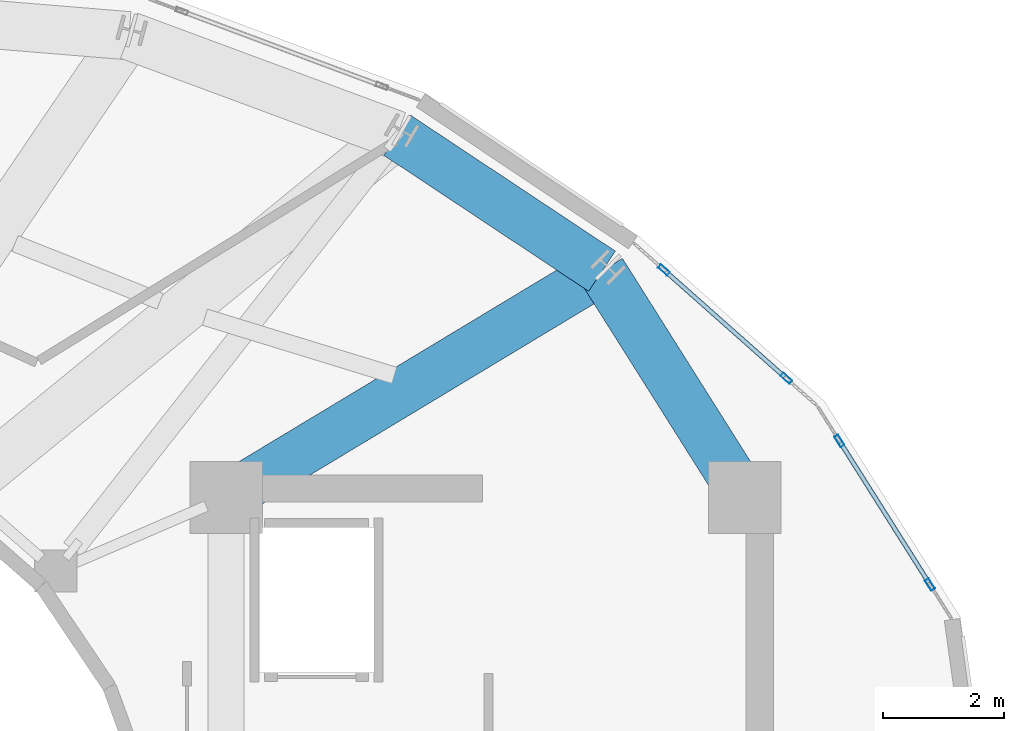
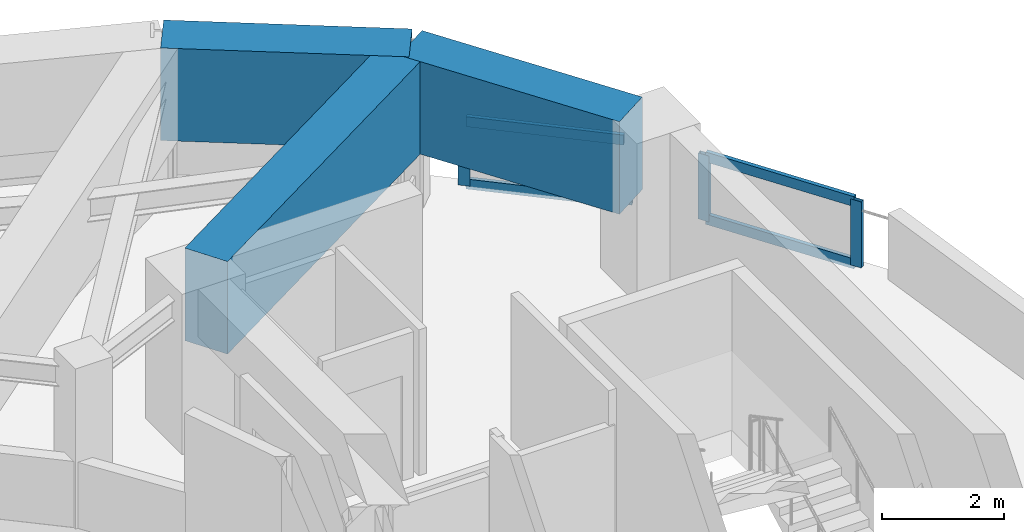
# One storey, part 13 of 21: 8 members, 3 beams, 2 elements without a shape of their own.
"""IFC4 building model written with IfcOpenShell, lengths in metres."""

import ifcopenshell
import ifcopenshell.guid

model = None  # the IFC model being written
_history = None  # IfcOwnerHistory: only IFC2X3 demands one
_inside = {}  # id of a spatial element -> (the spatial element, [elements in it])
_under = {}  # id of a project, library or spatial element -> (it, [spatial elements below it])
_declared = {}  # id of a project -> (the project, [libraries it declares])
_typed = {}  # id of a type object -> (the type object, [elements of that type])
_made_of = {}  # id of a material, layer set ... -> (it, [elements and type objects made of it])


def new_model(schema):
    """Start an empty IFC model of exactly this schema.

    Asked for "IFC4X3", IfcOpenShell would pick the latest addendum, in which some entities
    have other attributes; the version numbers below select the first issue.
    IFC2X3 requires an IfcOwnerHistory on every rooted entity: one is made here for all.
    """
    global model, _history
    if schema == "IFC4X3":
        model = ifcopenshell.file(schema_version=(4, 3, 0, 0))
    else:
        model = ifcopenshell.file(schema=schema)
    _inside.clear()
    _under.clear()
    _declared.clear()
    _typed.clear()
    _made_of.clear()
    _history = None
    if model.schema == "IFC2X3":
        org = make("IfcOrganization", Name="unknown")
        user = make(
            "IfcPersonAndOrganization",
            ThePerson=make("IfcPerson", FamilyName="unknown"),
            TheOrganization=org,
        )
        app = make(
            "IfcApplication",
            ApplicationDeveloper=org,
            Version="unknown",
            ApplicationFullName="unknown",
            ApplicationIdentifier="unknown",
        )
        _history = make(
            "IfcOwnerHistory",
            OwningUser=user,
            OwningApplication=app,
            ChangeAction="ADDED",
            CreationDate=0,
        )
    return model


def make(cls, **values):
    """One entity of the class cls with the attributes given. An attribute that is None is left unset."""
    return model.create_entity(
        cls, **{name: value for name, value in values.items() if value is not None}
    )


def rooted(cls, **values):
    """An entity with a GlobalId (a new one), such as an element, a storey or a relation."""
    return make(cls, GlobalId=ifcopenshell.guid.new(), OwnerHistory=_history, **values)


def si_unit(unit_type, name, prefix=None):
    """IfcSIUnit, for example si_unit("LENGTHUNIT", "METRE", prefix="MILLI")."""
    return make("IfcSIUnit", UnitType=unit_type, Prefix=prefix, Name=name)


def assignment(units):
    """IfcUnitAssignment: the units of a project."""
    return None if units is None else make("IfcUnitAssignment", Units=units)


def point(xyz):
    """IfcCartesianPoint."""
    return None if xyz is None else make("IfcCartesianPoint", Coordinates=xyz)


def direction(xyz):
    """IfcDirection."""
    return None if xyz is None else make("IfcDirection", DirectionRatios=xyz)


def frame(location, z_axis=None, x_axis=None):
    """IfcAxis2Placement3D, a coordinate frame: its origin and axes. An axis left out is left unset."""
    return make(
        "IfcAxis2Placement3D",
        Location=point(location),
        Axis=direction(z_axis),
        RefDirection=direction(x_axis),
    )


def frame_2d(location, x_axis=None):
    """IfcAxis2Placement2D, a coordinate frame in the plane: its origin and x axis."""
    return make(
        "IfcAxis2Placement2D", Location=point(location), RefDirection=direction(x_axis)
    )


def origin():
    """The frame at (0, 0, 0) with its axes left unset."""
    return frame((0.0, 0.0, 0.0))


def origin_2d():
    """The frame at (0, 0) in the plane with its x axis left unset."""
    return frame_2d((0.0, 0.0))


def place(relative_to, where):
    """IfcLocalPlacement: puts the frame where relative to a parent placement (None: the world)."""
    return make(
        "IfcLocalPlacement", PlacementRelTo=relative_to, RelativePlacement=where
    )


def context(
    kind, dimensions, precision=None, world=None, true_north=None, identifier=None
):
    """IfcGeometricRepresentationContext, for example the 3D "Model" context."""
    return make(
        "IfcGeometricRepresentationContext",
        ContextIdentifier=identifier,
        ContextType=kind,
        CoordinateSpaceDimension=dimensions,
        Precision=precision,
        WorldCoordinateSystem=world,
        TrueNorth=true_north,
    )


def subcontext(parent, identifier, kind, view, scale=None):
    """IfcGeometricRepresentationSubContext, for example "Body" below "Model"."""
    return make(
        "IfcGeometricRepresentationSubContext",
        ContextIdentifier=identifier,
        ContextType=kind,
        ParentContext=parent,
        TargetScale=scale,
        TargetView=view,
    )


def project(units=None, contexts=None):
    """IfcProject with its units and contexts."""
    return rooted(
        "IfcProject",
        Name="project",
        RepresentationContexts=contexts,
        UnitsInContext=assignment(units),
    )


def spatial(cls, under=None, at=None, **own):
    """A site, building, storey or space (cls), placed at a placement, below another one or the project."""
    s = rooted(cls, ObjectPlacement=at, **own)
    if under is not None:
        _under.setdefault(under.id(), (under, []))[1].append(s)
    return s


def profile(cls, at=None, kind="AREA", **sizes):
    """A parametric profile (cls). Its sizes go by their IFC names, for example OverallWidth=200.0."""
    return make(cls, ProfileType=kind, Position=at, **sizes)


def rectangle(**sizes):
    """IfcRectangleProfileDef."""
    return profile("IfcRectangleProfileDef", **sizes)


def hollow_rectangle(**sizes):
    """IfcRectangleHollowProfileDef."""
    return profile("IfcRectangleHollowProfileDef", **sizes)


def extrude(swept, where, along, depth):
    """IfcExtrudedAreaSolid: the profile swept, set in the frame where, extruded along a direction by depth."""
    return make(
        "IfcExtrudedAreaSolid",
        SweptArea=swept,
        Position=where,
        ExtrudedDirection=direction(along),
        Depth=depth,
    )


def shape(context_of_items, identifier, shape_type, items):
    """IfcShapeRepresentation: the items that make up one representation, for example the "Body"."""
    return make(
        "IfcShapeRepresentation",
        ContextOfItems=context_of_items,
        RepresentationIdentifier=identifier,
        RepresentationType=shape_type,
        Items=items,
    )


def material(Name=None, Category=None):
    """IfcMaterial."""
    return make("IfcMaterial", Name=Name, Category=Category)


def layer(
    of_material, thickness, ventilated=None, Name=None, Category=None, Priority=None
):
    """IfcMaterialLayer: one layer of a wall or slab, of a material (None: an air gap)."""
    return make(
        "IfcMaterialLayer",
        Material=of_material,
        LayerThickness=thickness,
        IsVentilated=ventilated,
        Name=Name,
        Category=Category,
        Priority=Priority,
    )


def layer_set(layers, Name=None):
    """IfcMaterialLayerSet."""
    return make("IfcMaterialLayerSet", MaterialLayers=layers, LayerSetName=Name)


def material_profile(
    of_material, cross_section, Name=None, Category=None, Priority=None
):
    """IfcMaterialProfile: a cross section and its material."""
    return make(
        "IfcMaterialProfile",
        Name=Name,
        Material=of_material,
        Profile=cross_section,
        Priority=Priority,
        Category=Category,
    )


def profile_set(profiles, Name=None, composite=None):
    """IfcMaterialProfileSet."""
    return make(
        "IfcMaterialProfileSet",
        Name=Name,
        MaterialProfiles=profiles,
        CompositeProfile=composite,
    )


def made_of(thing, what):
    """Note that an element or type object is made of a material, layer set ...; save() writes the relation."""
    if what is not None:
        _made_of.setdefault(what.id(), (what, []))[1].append(thing)
    return thing


def type_object(cls, material=None, **own):
    """A type object (cls), such as IfcWallType, which elements share."""
    return made_of(rooted(cls, **own), material)


def element(
    cls,
    number,
    at=None,
    inside=None,
    cuts=None,
    type_object=None,
    material=None,
    context=None,
    identifier="Body",
    shape_type=None,
    held_by="IfcProductDefinitionShape",
    body=None,
    shapes=None,
    **own,
):
    """One element of the class cls, such as IfcWall. Its Tag is "e" and its number.

    at: its placement. inside: the storey or other place that contains it. cuts: it is an
    opening in that element (IfcRelVoidsElement). A single representation is given by context,
    identifier, shape_type and body (its items); several are given by shapes. held_by: the class
    of the entity that holds the representations. save() writes the other relations.
    """
    e = rooted(cls, Tag="e%d" % number, ObjectPlacement=at, **own)
    if body is not None:
        shapes = [shape(context, identifier, shape_type, body)]
    if shapes is not None:
        e.Representation = make(held_by, Representations=shapes)
    if inside is not None:
        _inside.setdefault(inside.id(), (inside, []))[1].append(e)
    if cuts is not None:
        rooted(
            "IfcRelVoidsElement", RelatingBuildingElement=cuts, RelatedOpeningElement=e
        )
    if type_object is not None:
        _typed.setdefault(type_object.id(), (type_object, []))[1].append(e)
    return made_of(e, material)


def aggregate(whole, parts):
    """IfcRelAggregates: a whole, such as a stair, and the parts it consists of."""
    return rooted("IfcRelAggregates", RelatingObject=whole, RelatedObjects=parts)


def save(model, path):
    """Write the relations noted so far, then the file.

    IfcRelAggregates (storeys below a building ...), IfcRelContainedInSpatialStructure (elements
    in a storey), IfcRelDefinesByType, IfcRelAssociatesMaterial and IfcRelDeclares: one each for
    every whole, place, type object, material and project.
    """
    for whole, parts in _under.values():
        aggregate(whole, parts)
    for where, things in _inside.values():
        rooted(
            "IfcRelContainedInSpatialStructure",
            RelatedElements=things,
            RelatingStructure=where,
        )
    for kind, things in _typed.values():
        rooted("IfcRelDefinesByType", RelatedObjects=things, RelatingType=kind)
    for what, things in _made_of.values():
        rooted("IfcRelAssociatesMaterial", RelatedObjects=things, RelatingMaterial=what)
    for by, libraries in _declared.values():
        rooted("IfcRelDeclares", RelatingContext=by, RelatedDefinitions=libraries)
    model.write(path)


model = new_model("IFC4")

# Units and contexts
model_context = context("Model", 3, precision=1e-05, world=origin(), true_north=direction((0.0, 1.0)))
body_context = subcontext(model_context, "Body", "Model", "MODEL_VIEW")
ifc_project = project(units=[si_unit("LENGTHUNIT", "METRE"), si_unit("AREAUNIT", "SQUARE_METRE"), si_unit("VOLUMEUNIT", "CUBIC_METRE"), si_unit("PLANEANGLEUNIT", "RADIAN"), si_unit("MASSUNIT", "GRAM", prefix="KILO")], contexts=[model_context])

# Site, building, storey
site_placement = place(None, origin())
site = spatial("IfcSite", under=ifc_project, at=site_placement, CompositionType="ELEMENT")
building_placement = place(site_placement, origin())
building = spatial("IfcBuilding", under=site, at=building_placement, Name="Solvane Sanctuary Tower", CompositionType="ELEMENT")
storey_placement = place(building_placement, frame((0.0, 0.0, 260.39990234375)))
storey = spatial("IfcBuildingStorey", under=building, at=storey_placement, Name="L79", CompositionType="ELEMENT", Elevation=260.39990234375)

# Beams
ifc_material_1 = material(Name="Concrete C70/85", Category="concrete")
ifc_material_profile_1 = material_profile(ifc_material_1, rectangle(XDim=0.800048828125, YDim=1.85009765625, at=origin_2d()), Name="RC800X1850")
ifc_profile_set_1 = profile_set([ifc_material_profile_1], Name="Concrete C70/85")
beam_type = type_object("IfcBeamType", Name="Beam B-XFER-BLK RC800X1850", PredefinedType="BEAM", material=ifc_profile_set_1)
beam_1_placement = place(storey_placement, frame((40.408203125, 30.3857421875, 2.275146484375), z_axis=(0.856463025374, 0.516208374756, 0.0), x_axis=(-0.516208374756, 0.856463025374, 0.0)))
element("IfcBeam", 1, at=beam_1_placement, inside=storey, type_object=beam_type, Name="L79 Block-Shift Radial Transfer Girder 01A", PredefinedType="BEAM", context=body_context, shape_type="SweptSolid", body=[
    extrude(rectangle(XDim=0.800048828125, YDim=1.85009765625, at=origin_2d()), origin(), (0.0, 0.0, 1.0), 6.934814453125),
])
beam_2_placement = place(storey_placement, frame((42.93603515625, 36.207275390625, 2.275146484375), z_axis=(0.833190720358, -0.552985735357, 0.0), x_axis=(0.552985735357, 0.833190720358, 0.0)))
element("IfcBeam", 2, at=beam_2_placement, inside=storey, type_object=beam_type, Name="L79 Perimeter Step Transfer Ring NTC02-NTC01", PredefinedType="BEAM", context=body_context, shape_type="SweptSolid", body=[
    extrude(rectangle(XDim=0.800048828125, YDim=1.85009765625, at=origin_2d()), origin(), (0.0, 0.0, 1.0), 4.07763671875),
])
beam_3_placement = place(storey_placement, frame((46.33349609375, 33.952392578125, 2.275146484375), z_axis=(0.533445325405, -0.845834549308, 0.0), x_axis=(0.845834549308, 0.533445325405, 0.0)))
element("IfcBeam", 3, at=beam_3_placement, inside=storey, type_object=beam_type, Name="L79 Perimeter Step Transfer Ring NTC01-CE3", PredefinedType="BEAM", context=body_context, shape_type="SweptSolid", body=[
    extrude(rectangle(XDim=0.800048828125, YDim=1.85009765625, at=origin_2d()), origin(), (0.0, 0.0, 1.0), 4.076416015625),
])

# Curtain wall, members
ifc_material_2 = material(Name="Anodised Aluminium 6063-T6", Category="aluminium")
ifc_layer = layer(ifc_material_2, 0.219970703125, Name="Anodised Aluminium 6063-T6")
ifc_layer_set = layer_set([ifc_layer], Name="Anodised Aluminium 6063-T6")
curtain_wall_type = type_object("IfcCurtainWallType", Name="Curtain Wall CW-CROWN", PredefinedType="NOTDEFINED", material=ifc_layer_set)
curtain_wall_1_placement = place(storey_placement, origin())
curtain_wall_1 = element("IfcCurtainWall", 4, at=curtain_wall_1_placement, inside=storey, type_object=curtain_wall_type, Name="L79 Crown Fritted Lantern Curtain Wall 01", PredefinedType="NOTDEFINED")
ifc_material_profile_2 = material_profile(ifc_material_2, hollow_rectangle(XDim=0.074951171875, YDim=0.199951171875, WallThickness=0.00390625, at=origin_2d()), Name="ALU200X75X4")
ifc_profile_set_2 = profile_set([ifc_material_profile_2], Name="Anodised Aluminium 6063-T6")
member_type_1 = type_object("IfcMemberType", Name="Member M-CW-MUL-1 ALU200X75X4", PredefinedType="MULLION", material=ifc_profile_set_2)
member_1_placement = place(storey_placement, frame((51.772705078125, 28.755859375, 0.0), z_axis=(0.0, 0.0, 1.0), x_axis=(-0.845808282613, -0.533486971784, 0.0)))
member_1 = element("IfcMember", 5, at=member_1_placement, type_object=member_type_1, Name="CW-CROWN mullion 1", PredefinedType="MULLION", context=body_context, shape_type="SweptSolid", body=[
    extrude(hollow_rectangle(XDim=0.074951171875, YDim=0.199951171875, WallThickness=0.00390625, at=origin_2d()), origin(), (0.0, 0.0, 1.0), 1.320068359375),
])
member_2_placement = place(storey_placement, frame((50.269287109375, 31.13916015625, 0.0), z_axis=(0.0, 0.0, 1.0), x_axis=(-0.845808282613, -0.533486971784, 0.0)))
member_2 = element("IfcMember", 6, at=member_2_placement, type_object=member_type_1, Name="CW-CROWN mullion 2", PredefinedType="MULLION", context=body_context, shape_type="SweptSolid", body=[
    extrude(hollow_rectangle(XDim=0.074951171875, YDim=0.199951171875, WallThickness=0.00390625, at=origin_2d()), origin(), (0.0, 0.0, 1.0), 1.320068359375),
])

curtain_wall_2_placement = place(storey_placement, origin())
curtain_wall_2 = element("IfcCurtainWall", 7, at=curtain_wall_2_placement, inside=storey, type_object=curtain_wall_type, Name="L79 Crown Fritted Lantern Curtain Wall 02", PredefinedType="NOTDEFINED")
member_3_placement = place(storey_placement, frame((49.38818359375, 32.1767578125, 0.0), z_axis=(0.0, 0.0, 1.0), x_axis=(-0.66330660014, -0.74834774952, 0.0)))
member_3 = element("IfcMember", 8, at=member_3_placement, type_object=member_type_1, Name="CW-CROWN mullion 1", PredefinedType="MULLION", context=body_context, shape_type="SweptSolid", body=[
    extrude(hollow_rectangle(XDim=0.074951171875, YDim=0.199951171875, WallThickness=0.00390625, at=origin_2d()), origin(), (0.0, 0.0, 1.0), 1.320068359375),
])
member_4_placement = place(storey_placement, frame((47.3603515625, 33.973876953125, 0.0), z_axis=(0.0, 0.0, 1.0), x_axis=(-0.66330660014, -0.74834774952, 0.0)))
member_4 = element("IfcMember", 9, at=member_4_placement, type_object=member_type_1, Name="CW-CROWN mullion 2", PredefinedType="MULLION", context=body_context, shape_type="SweptSolid", body=[
    extrude(hollow_rectangle(XDim=0.074951171875, YDim=0.199951171875, WallThickness=0.00390625, at=origin_2d()), origin(), (0.0, 0.0, 1.0), 1.320068359375),
])

# Member
ifc_material_profile_3 = material_profile(ifc_material_2, hollow_rectangle(XDim=0.074951171875, YDim=0.199951171875, WallThickness=0.00390625, at=origin_2d()), Name="ALU200X75X4")
ifc_profile_set_3 = profile_set([ifc_material_profile_3], Name="Anodised Aluminium 6063-T6")
member_type_2 = type_object("IfcMemberType", Name="Member M-CW-TRN-2 ALU200X75X4", PredefinedType="USERDEFINED", material=ifc_profile_set_3)
member_5_placement = place(storey_placement, frame((51.752685546875, 28.78759765625, 0.03759765625), z_axis=(-0.533530760469, 0.845780661657, 0.0), x_axis=(-0.845780661657, -0.533530760469, 0.0)))
member_5 = element("IfcMember", 10, at=member_5_placement, type_object=member_type_2, Name="CW-CROWN transom 1.1", ObjectType="TRANSOM", PredefinedType="USERDEFINED", context=body_context, shape_type="SweptSolid", body=[
    extrude(hollow_rectangle(XDim=0.074951171875, YDim=0.199951171875, WallThickness=0.00390625, at=origin_2d()), origin(), (0.0, 0.0, 1.0), 2.742919921875),
])

member_6_placement = place(storey_placement, frame((51.752685546875, 28.78759765625, 1.28271484375), z_axis=(-0.533530760469, 0.845780661657, 0.0), x_axis=(-0.845780661657, -0.533530760469, 0.0)))
member_6 = element("IfcMember", 11, at=member_6_placement, type_object=member_type_2, Name="CW-CROWN transom 1.2", ObjectType="TRANSOM", PredefinedType="USERDEFINED", context=body_context, shape_type="SweptSolid", body=[
    extrude(hollow_rectangle(XDim=0.074951171875, YDim=0.199951171875, WallThickness=0.00390625, at=origin_2d()), origin(), (0.0, 0.0, 1.0), 2.742919921875),
])

aggregate(curtain_wall_1, [member_1, member_2, member_5, member_6])

member_7_placement = place(storey_placement, frame((49.360107421875, 32.20166015625, 0.03759765625), z_axis=(-0.748405481865, 0.66324146034, 0.0), x_axis=(-0.66324146034, -0.748405481865, 0.0)))
member_7 = element("IfcMember", 12, at=member_7_placement, type_object=member_type_2, Name="CW-CROWN transom 1.1", ObjectType="TRANSOM", PredefinedType="USERDEFINED", context=body_context, shape_type="SweptSolid", body=[
    extrude(hollow_rectangle(XDim=0.074951171875, YDim=0.199951171875, WallThickness=0.00390625, at=origin_2d()), origin(), (0.0, 0.0, 1.0), 2.634521484375),
])

member_8_placement = place(storey_placement, frame((49.360107421875, 32.20166015625, 1.28271484375), z_axis=(-0.748405481865, 0.66324146034, 0.0), x_axis=(-0.66324146034, -0.748405481865, 0.0)))
member_8 = element("IfcMember", 13, at=member_8_placement, type_object=member_type_2, Name="CW-CROWN transom 1.2", ObjectType="TRANSOM", PredefinedType="USERDEFINED", context=body_context, shape_type="SweptSolid", body=[
    extrude(hollow_rectangle(XDim=0.074951171875, YDim=0.199951171875, WallThickness=0.00390625, at=origin_2d()), origin(), (0.0, 0.0, 1.0), 2.634521484375),
])

aggregate(curtain_wall_2, [member_3, member_4, member_7, member_8])

save(model, "model.ifc")
